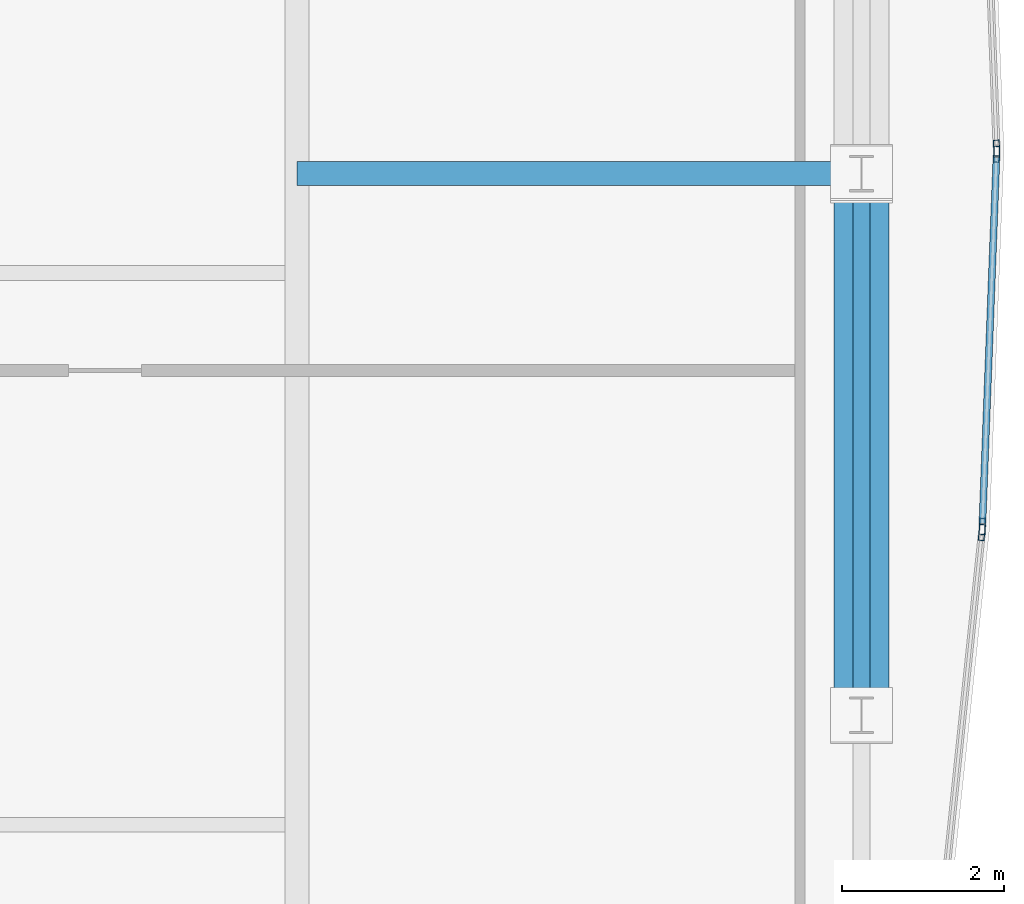
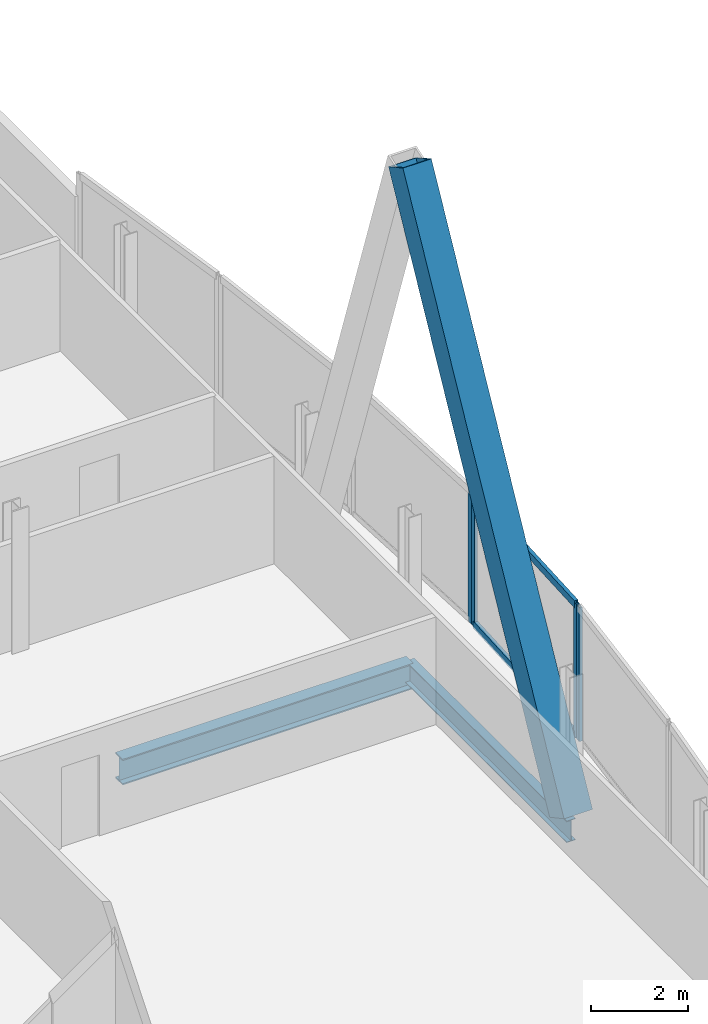
# One storey, part 17 of 29: 7 members, 2 beams, 3 elements without a shape of their own.
"""IFC4 building model written with IfcOpenShell, lengths in metres."""

from ifc_helpers import new_model, si_unit, direction, frame, origin, origin_2d, place, context, subcontext, project, spatial, hollow_rectangle, i_section, extrude, material, material_profile, profile_set, type_object, element, aggregate, save


model = new_model("IFC4")

# Units and contexts
model_context = context("Model", 3, precision=1e-05, world=origin(), true_north=direction((0.0, 1.0)))
body_context = subcontext(model_context, "Body", "Model", "MODEL_VIEW")
ifc_project = project(units=[si_unit("LENGTHUNIT", "METRE"), si_unit("AREAUNIT", "SQUARE_METRE"), si_unit("VOLUMEUNIT", "CUBIC_METRE"), si_unit("PLANEANGLEUNIT", "RADIAN"), si_unit("MASSUNIT", "GRAM", prefix="KILO")], contexts=[model_context])

# Site, building, storey
site_placement = place(None, origin())
site = spatial("IfcSite", under=ifc_project, at=site_placement, CompositionType="ELEMENT")
building_placement = place(site_placement, origin())
building = spatial("IfcBuilding", under=site, at=building_placement, Name="Khoronbel Lancet Exchange", CompositionType="ELEMENT")
storey_placement = place(building_placement, frame((0.0, 0.0, 302.199951171875)))
storey = spatial("IfcBuildingStorey", under=building, at=storey_placement, Name="L78", CompositionType="ELEMENT", Elevation=302.199951171875)

# Beams
ifc_material_1 = material(Name="Steel S355", Category="steel")
ifc_material_profile_1 = material_profile(ifc_material_1, i_section(OverallWidth=0.300048828125, OverallDepth=0.64990234375, WebThickness=0.01611328125, FlangeThickness=0.031005859375, at=origin_2d()), Name="HEB 650")
ifc_profile_set_1 = profile_set([ifc_material_profile_1], Name="Steel S355")
beam_type_1 = type_object("IfcBeamType", Name="BM-BG4", PredefinedType="BEAM", material=ifc_profile_set_1)
beam_1_placement = place(storey_placement, frame((54.675048828125, 31.425048828125, -0.48486328125), z_axis=(1.0, 0.0, 0.0), x_axis=(0.0, 1.0, 0.0)))
element("IfcBeam", 1, at=beam_1_placement, inside=storey, type_object=beam_type_1, Name="Level L78 east lens tie girder LG2E", PredefinedType="BEAM", context=body_context, shape_type="SweptSolid", body=[
    extrude(i_section(OverallWidth=0.300048828125, OverallDepth=0.64990234375, WebThickness=0.01611328125, FlangeThickness=0.031005859375, at=origin_2d()), origin(), (0.0, 0.0, 1.0), 6.954833984375),
])
ifc_material_profile_2 = material_profile(ifc_material_1, i_section(OverallWidth=0.2099609375, OverallDepth=0.550048828125, WebThickness=0.010986328125, FlangeThickness=0.01708984375, at=origin_2d()), Name="IPE 550")
ifc_profile_set_2 = profile_set([ifc_material_profile_2], Name="Steel S355")
beam_type_2 = type_object("IfcBeamType", Name="BM-BSP3", PredefinedType="SPANDREL", material=ifc_profile_set_2)
beam_2_placement = place(storey_placement, frame((61.6298828125, 24.75, -0.43505859375), z_axis=(0.0, 1.0, 0.0), x_axis=(-1.0, 0.0, 0.0)))
element("IfcBeam", 2, at=beam_2_placement, inside=storey, type_object=beam_type_2, Name="Level L78 perimeter spandrel beam SP12", PredefinedType="SPANDREL", context=body_context, shape_type="SweptSolid", body=[
    extrude(i_section(OverallWidth=0.2099609375, OverallDepth=0.550048828125, WebThickness=0.010986328125, FlangeThickness=0.01708984375, at=origin_2d()), origin(), (0.0, 0.0, 1.0), 6.675048828125),
])

# Curtain wall, member
ifc_material_2 = material(Name="Low-E Solar Control Insulating Glass", Category="glass")
curtain_wall_type = type_object("IfcCurtainWallType", Name="CW-4", PredefinedType="NOTDEFINED", material=ifc_material_2)
curtain_wall_1_placement = place(storey_placement, origin())
curtain_wall_1 = element("IfcCurtainWall", 3, at=curtain_wall_1_placement, inside=storey, type_object=curtain_wall_type, Name="Unitised curtain wall CW-L78-E19", PredefinedType="NOTDEFINED")
ifc_material_3 = material(Name="Bronze-Anodised Aluminium 6063-T6", Category="aluminium")
ifc_material_profile_3 = material_profile(ifc_material_3, hollow_rectangle(XDim=0.074951171875, YDim=0.199951171875, WallThickness=0.0048828125, at=origin_2d()), Name="ALU MULLION 75x200")
ifc_profile_set_3 = profile_set([ifc_material_profile_3], Name="Bronze-Anodised Aluminium 6063-T6")
member_type_1 = type_object("IfcMemberType", Name="MEM-CWM2", PredefinedType="MULLION", material=ifc_profile_set_3)
member_1_placement = place(storey_placement, frame((63.293212890625, 31.737548828125, 0.0), z_axis=(0.0, 0.0, 1.0), x_axis=(0.99926727474, 0.038274190189, 0.0)))
member_1 = element("IfcMember", 4, at=member_1_placement, type_object=member_type_1, Name="CW4 mullion 2", PredefinedType="MULLION", context=body_context, shape_type="SweptSolid", body=[
    extrude(hollow_rectangle(XDim=0.074951171875, YDim=0.199951171875, WallThickness=0.0048828125, at=origin_2d()), origin(), (0.0, 0.0, 1.0), 3.380126953125),
])
aggregate(curtain_wall_1, [member_1])

# Curtain wall, members
curtain_wall_2_placement = place(storey_placement, origin())
curtain_wall_2 = element("IfcCurtainWall", 5, at=curtain_wall_2_placement, inside=storey, type_object=curtain_wall_type, Name="Unitised curtain wall CW-L78-E20", PredefinedType="NOTDEFINED")
member_2_placement = place(storey_placement, frame((63.293212890625, 31.66259765625, 0.0), z_axis=(0.0, 0.0, 1.0), x_axis=(0.99926727474, -0.038274190189, 0.0)))
member_2 = element("IfcMember", 6, at=member_2_placement, type_object=member_type_1, Name="CW4 mullion 1", PredefinedType="MULLION", context=body_context, shape_type="SweptSolid", body=[
    extrude(hollow_rectangle(XDim=0.074951171875, YDim=0.199951171875, WallThickness=0.0048828125, at=origin_2d()), origin(), (0.0, 0.0, 1.0), 3.380126953125),
])
member_3_placement = place(storey_placement, frame((63.117431640625, 27.0771484375, 0.0), z_axis=(0.0, 0.0, 1.0), x_axis=(0.99926727474, -0.038274190189, 0.0)))
member_3 = element("IfcMember", 7, at=member_3_placement, type_object=member_type_1, Name="CW4 mullion 2", PredefinedType="MULLION", context=body_context, shape_type="SweptSolid", body=[
    extrude(hollow_rectangle(XDim=0.074951171875, YDim=0.199951171875, WallThickness=0.0048828125, at=origin_2d()), origin(), (0.0, 0.0, 1.0), 3.380126953125),
])

# Curtain wall, member
curtain_wall_3_placement = place(storey_placement, origin())
curtain_wall_3 = element("IfcCurtainWall", 8, at=curtain_wall_3_placement, inside=storey, type_object=curtain_wall_type, Name="Unitised curtain wall CW-L78-E21", PredefinedType="NOTDEFINED")
member_4_placement = place(storey_placement, frame((63.1123046875, 27.00244140625, 0.0), z_axis=(0.0, 0.0, 1.0), x_axis=(0.994563630588, -0.104130613712, 0.0)))
member_4 = element("IfcMember", 9, at=member_4_placement, type_object=member_type_1, Name="CW4 mullion 1", PredefinedType="MULLION", context=body_context, shape_type="SweptSolid", body=[
    extrude(hollow_rectangle(XDim=0.074951171875, YDim=0.199951171875, WallThickness=0.0048828125, at=origin_2d()), origin(), (0.0, 0.0, 1.0), 3.380126953125),
])
aggregate(curtain_wall_3, [member_4])

# Member
ifc_material_profile_4 = material_profile(ifc_material_3, hollow_rectangle(XDim=0.0849609375, YDim=0.179931640625, WallThickness=0.0048828125, at=origin_2d()), Name="ALU TRANSOM 85x180")
ifc_profile_set_4 = profile_set([ifc_material_profile_4], Name="Bronze-Anodised Aluminium 6063-T6")
member_type_2 = type_object("IfcMemberType", Name="MEM-CWT1", PredefinedType="USERDEFINED", material=ifc_profile_set_4)
member_5_placement = place(storey_placement, frame((63.291748046875, 31.625, 0.04248046875), z_axis=(-0.038296018102, -0.999266438442, 0.0), x_axis=(0.999266438442, -0.038296018102, 0.0)))
member_5 = element("IfcMember", 10, at=member_5_placement, type_object=member_type_2, Name="CW4 transom 1.1", ObjectType="TRANSOM", PredefinedType="USERDEFINED", context=body_context, shape_type="SweptSolid", body=[
    extrude(hollow_rectangle(XDim=0.0849609375, YDim=0.179931640625, WallThickness=0.0048828125, at=origin_2d()), origin(), (0.0, 0.0, 1.0), 4.513671875),
])

member_6_placement = place(storey_placement, frame((63.291748046875, 31.625, 3.337646484375), z_axis=(-0.038296018102, -0.999266438442, 0.0), x_axis=(0.999266438442, -0.038296018102, 0.0)))
member_6 = element("IfcMember", 11, at=member_6_placement, type_object=member_type_2, Name="CW4 transom 1.2", ObjectType="TRANSOM", PredefinedType="USERDEFINED", context=body_context, shape_type="SweptSolid", body=[
    extrude(hollow_rectangle(XDim=0.0849609375, YDim=0.179931640625, WallThickness=0.0048828125, at=origin_2d()), origin(), (0.0, 0.0, 1.0), 4.513671875),
])

aggregate(curtain_wall_2, [member_2, member_3, member_5, member_6])

ifc_material_4 = material(Name="Steel S460", Category="steel")
ifc_material_profile_5 = material_profile(ifc_material_4, hollow_rectangle(XDim=0.679931640625, YDim=0.679931640625, WallThickness=0.044921875, at=origin_2d()), Name="BOX 680x680x45")
ifc_profile_set_5 = profile_set([ifc_material_profile_5], Name="Steel S460")
member_type_3 = type_object("IfcMemberType", Name="MEM-MB3", PredefinedType="BRACE", material=ifc_profile_set_5)
member_7_placement = place(storey_placement, frame((61.6298828125, 24.75, 0.0), z_axis=(0.0, 0.473992302512, 0.880528987121), x_axis=(-1.0, 0.0, 0.0)))
element("IfcMember", 12, at=member_7_placement, inside=storey, type_object=member_type_3, Name="Perimeter lancet brace tier 27 E-P-L", PredefinedType="BRACE", context=body_context, shape_type="SweptSolid", body=[
    extrude(hollow_rectangle(XDim=0.679931640625, YDim=0.679931640625, WallThickness=0.044921875, at=origin_2d()), origin(), (0.0, 0.0, 1.0), 14.08251953125),
])

save(model, "model.ifc")
